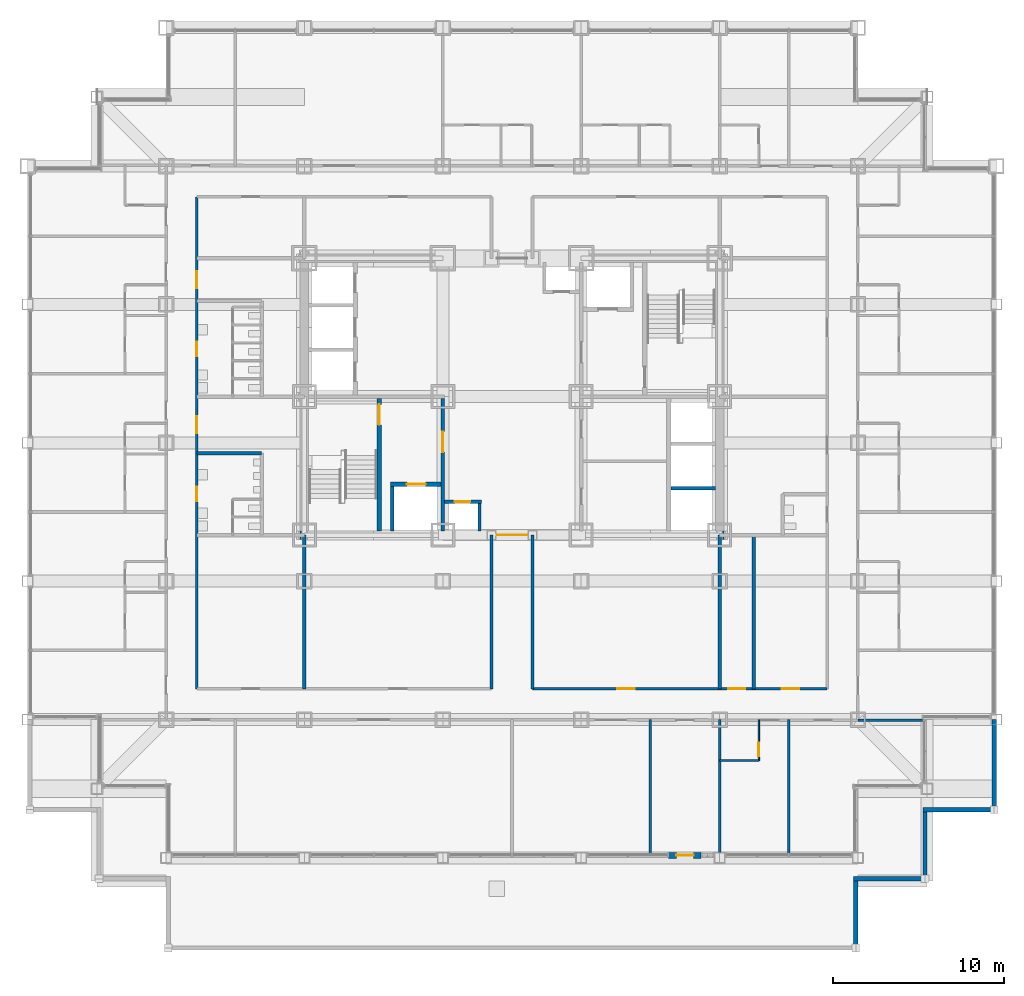
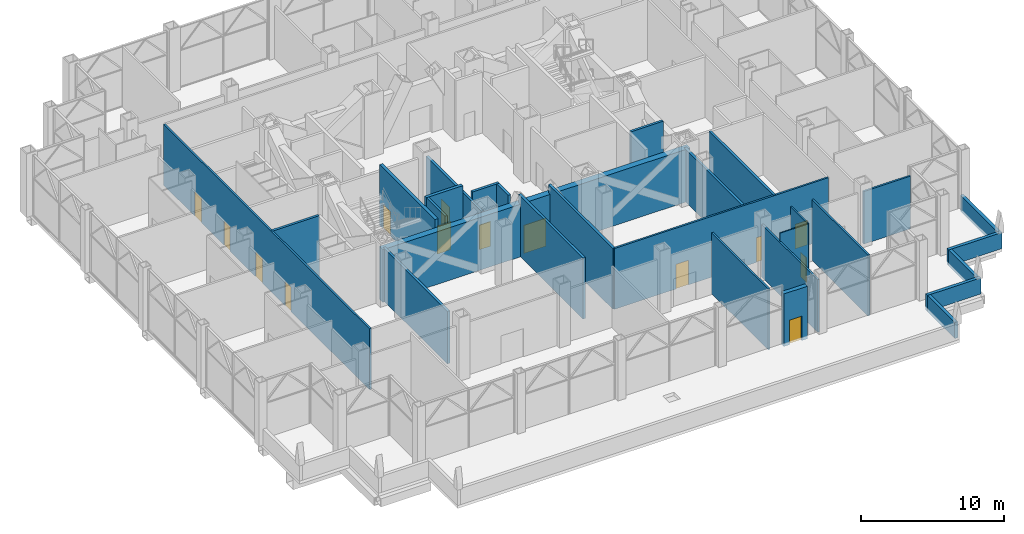
# One storey, part 20 of 26: 28 walls, 14 doors, 14 openings.
"""IFC4 building model written with IfcOpenShell, lengths in metres."""

from ifc_helpers import new_model, si_unit, direction, frame, frame_2d, origin, place, context, subcontext, project, spatial, rectangle, extrude, material, layer, layer_set, type_object, element, fill, save


model = new_model("IFC4")

# Units and contexts
model_context = context("Model", 3, precision=1e-05, world=origin(), true_north=direction((0.0, 1.0)))
body_context = subcontext(model_context, "Body", "Model", "MODEL_VIEW")
ifc_project = project(units=[si_unit("LENGTHUNIT", "METRE"), si_unit("AREAUNIT", "SQUARE_METRE"), si_unit("VOLUMEUNIT", "CUBIC_METRE"), si_unit("PLANEANGLEUNIT", "RADIAN"), si_unit("MASSUNIT", "GRAM", prefix="KILO")], contexts=[model_context])

# Site, building, storey
site_placement = place(None, origin())
site = spatial("IfcSite", under=ifc_project, at=site_placement, CompositionType="ELEMENT")
building_placement = place(site_placement, origin())
building = spatial("IfcBuilding", under=site, at=building_placement, Name="Kopane Lantern Tower", CompositionType="ELEMENT")
storey_placement = place(building_placement, frame((0.0, 0.0, 98.0)))
storey = spatial("IfcBuildingStorey", under=building, at=storey_placement, Name="L24", CompositionType="ELEMENT", Elevation=98.0)

# Wall
ifc_material_1 = material(Name="Moisture-resistant board on steel studs", Category="steel")
ifc_layer_1 = layer(ifc_material_1, 0.10009765625)
ifc_layer_set_1 = layer_set([ifc_layer_1], Name="BATHROOM WALL 100")
wall_type_1 = type_object("IfcWallType", Name="BATHROOM WALL 100", PredefinedType="PARTITIONING", material=ifc_layer_set_1)
wall_1_placement = place(storey_placement, frame((40.5, 11.10009765625, 0.0), z_axis=(0.0, 0.0, 1.0), x_axis=(1.0, 0.0, 0.0)))
element("IfcWall", 1, at=wall_1_placement, inside=storey, type_object=wall_type_1, Name="Bathroom Wall 100 L24", PredefinedType="PARTITIONING", context=body_context, shape_type="SweptSolid", body=[
    extrude(rectangle(XDim=2.300048828125, YDim=0.10009765625, at=frame_2d((1.14990234375, 0.0))), origin(), (0.0, 0.0, 1.0), 5.18994140625),
])

# Wall, opening, door
wall_2_placement = place(storey_placement, frame((42.800048828125, 13.5, 0.0), z_axis=(0.0, 0.0, 1.0), x_axis=(0.0, -1.0, 0.0)))
wall_2 = element("IfcWall", 2, at=wall_2_placement, inside=storey, type_object=wall_type_1, Name="Bathroom Wall 100 L24", PredefinedType="PARTITIONING", context=body_context, shape_type="SweptSolid", body=[
    extrude(rectangle(XDim=2.39990234375, YDim=0.10009765625, at=frame_2d((1.199951171875, 0.0))), origin(), (0.0, 0.0, 1.0), 5.18994140625),
])
opening_1_placement = place(wall_2_placement, frame((1.35009765625, 0.0, 0.0)))
opening_1 = element("IfcOpeningElement", 3, at=opening_1_placement, cuts=wall_2, Name="Opening L24-020", PredefinedType="OPENING", context=body_context, shape_type="SweptSolid", body=[
    extrude(rectangle(XDim=0.800048828125, YDim=2.10009765625, at=frame_2d((0.39990234375, 1.050048828125))), frame((0.0, 0.06005859375, 0.0), z_axis=(0.0, -1.0, 0.0), x_axis=(1.0, 0.0, 0.0)), (0.0, 0.0, 1.0), 0.1201171875),
])
ifc_material_2 = material(Name="Timber door set", Category="wood")
door_type_1 = type_object("IfcDoorType", Name="DOOR D2 800x2100", OperationType="SINGLE_SWING_LEFT", PredefinedType="DOOR", material=ifc_material_2)
door_1_placement = place(opening_1_placement, origin())
door_1 = element("IfcDoor", 4, at=door_1_placement, inside=storey, type_object=door_type_1, Name="Door L24-020", OperationType="SINGLE_SWING_LEFT", OverallHeight=2.10009765625, OverallWidth=0.800048828125, PredefinedType="DOOR", context=body_context, shape_type="SweptSolid", body=[
    extrude(rectangle(XDim=0.800048828125, YDim=2.10009765625, at=frame_2d((0.39990234375, 1.050048828125))), frame((0.0, 0.02490234375, 0.0), z_axis=(0.0, -1.0, 0.0), x_axis=(1.0, 0.0, 0.0)), (0.0, 0.0, 1.0), 0.050048828125),
])
fill(opening_1, door_1)

ifc_material_3 = material(Name="Gypsum shaft wall EI 120", Category="gypsum")
ifc_layer_2 = layer(ifc_material_3, 0.5)
ifc_layer_set_2 = layer_set([ifc_layer_2], Name="CORE PERIMETER WALL 500 EI 120")
wall_type_2 = type_object("IfcWallType", Name="CORE PERIMETER WALL 500 EI 120", PredefinedType="SOLIDWALL", material=ifc_layer_set_2)
wall_3_placement = place(storey_placement, frame((15.949951171875, 24.300048828125, 0.0), z_axis=(0.0, 0.0, 1.0), x_axis=(1.0, 0.0, 0.0)))
wall_3 = element("IfcWall", 5, at=wall_3_placement, inside=storey, type_object=wall_type_2, Name="Core shaft wall L24 PS", PredefinedType="SOLIDWALL", context=body_context, shape_type="SweptSolid", body=[
    extrude(rectangle(XDim=24.800048828125, YDim=0.5, at=frame_2d((12.39990234375, 0.0))), origin(), (0.0, 0.0, 1.0), 4.489990234375),
])
opening_2_placement = place(wall_3_placement, frame((11.5, 0.0, 0.0)))
opening_2 = element("IfcOpeningElement", 6, at=opening_2_placement, cuts=wall_3, Name="Opening 24.CE-S", PredefinedType="OPENING", context=body_context, shape_type="SweptSolid", body=[
    extrude(rectangle(XDim=1.800048828125, YDim=2.39990234375, at=frame_2d((0.89990234375, 1.199951171875))), frame((0.0, 0.260009765625, 0.0), z_axis=(0.0, -1.0, 0.0), x_axis=(1.0, 0.0, 0.0)), (0.0, 0.0, 1.0), 0.52001953125),
])
ifc_material_4 = material(Name="Steel door set", Category="steel")
door_type_2 = type_object("IfcDoorType", Name="CORE ENTRY DOOR 1800x2400 FD60S", OperationType="DOUBLE_DOOR_SINGLE_SWING", PredefinedType="DOOR", material=ifc_material_4)
door_2_placement = place(opening_2_placement, origin())
door_2 = element("IfcDoor", 7, at=door_2_placement, inside=storey, type_object=door_type_2, Name="Core entry door L24 south", OperationType="DOUBLE_DOOR_SINGLE_SWING", OverallHeight=2.39990234375, OverallWidth=1.800048828125, PredefinedType="DOOR", context=body_context, shape_type="SweptSolid", body=[
    extrude(rectangle(XDim=1.800048828125, YDim=2.39990234375, at=frame_2d((0.89990234375, 1.199951171875))), frame((0.0, 0.02490234375, 0.0), z_axis=(0.0, -1.0, 0.0), x_axis=(1.0, 0.0, 0.0)), (0.0, 0.0, 1.0), 0.050048828125),
])
fill(opening_2, door_2)

ifc_material_5 = material(Name="Gypsum shaft wall EI 120", Category="gypsum")
ifc_layer_3 = layer(ifc_material_5, 0.25)
ifc_layer_set_3 = layer_set([ifc_layer_3], Name="CORE SHAFT WALL 250 EI 120")
wall_type_3 = type_object("IfcWallType", Name="CORE SHAFT WALL 250 EI 120", PredefinedType="SOLIDWALL", material=ifc_layer_set_3)
wall_4_placement = place(storey_placement, frame((20.574951171875, 24.550048828125, 0.0), z_axis=(0.0, 0.0, 1.0), x_axis=(0.0, 1.0, 0.0)))
wall_4 = element("IfcWall", 8, at=wall_4_placement, inside=storey, type_object=wall_type_3, Name="Core shaft wall L24 XST1", PredefinedType="SOLIDWALL", context=body_context, shape_type="SweptSolid", body=[
    extrude(rectangle(XDim=7.75, YDim=0.25, at=frame_2d((3.875, 0.0))), origin(), (0.0, 0.0, 1.0), 5.18994140625),
])
opening_3_placement = place(wall_4_placement, frame((6.199951171875, 0.0, 0.0)))
opening_3 = element("IfcOpeningElement", 9, at=opening_3_placement, cuts=wall_4, Name="Opening 24.SD1", PredefinedType="OPENING", context=body_context, shape_type="SweptSolid", body=[
    extrude(rectangle(XDim=1.199951171875, YDim=2.10009765625, at=frame_2d((0.60009765625, 1.050048828125))), frame((0.0, 0.135009765625, 0.0), z_axis=(0.0, -1.0, 0.0), x_axis=(1.0, 0.0, 0.0)), (0.0, 0.0, 1.0), 0.27001953125),
])
ifc_material_6 = material(Name="Steel door set", Category="steel")
door_type_3 = type_object("IfcDoorType", Name="STAIR DOOR 1200x2100 FD60S", OperationType="SINGLE_SWING_LEFT", PredefinedType="DOOR", material=ifc_material_6)
door_3_placement = place(opening_3_placement, origin())
door_3 = element("IfcDoor", 10, at=door_3_placement, inside=storey, type_object=door_type_3, Name="Stair door ST1 L24", OperationType="SINGLE_SWING_LEFT", OverallHeight=2.10009765625, OverallWidth=1.199951171875, PredefinedType="DOOR", context=body_context, shape_type="SweptSolid", body=[
    extrude(rectangle(XDim=1.199951171875, YDim=2.10009765625, at=frame_2d((0.60009765625, 1.050048828125))), frame((0.0, 0.02490234375, 0.0), z_axis=(0.0, -1.0, 0.0), x_axis=(1.0, 0.0, 0.0)), (0.0, 0.0, 1.0), 0.050048828125),
])
fill(opening_3, door_3)

wall_5_placement = place(storey_placement, frame((21.25, 27.27490234375, 0.0), z_axis=(0.0, 0.0, 1.0), x_axis=(1.0, 0.0, 0.0)))
wall_5 = element("IfcWall", 11, at=wall_5_placement, inside=storey, type_object=wall_type_3, Name="Core shaft wall L24 YLF1", PredefinedType="SOLIDWALL", context=body_context, shape_type="SweptSolid", body=[
    extrude(rectangle(XDim=2.949951171875, YDim=0.25, at=frame_2d((1.47509765625, 0.0))), origin(), (0.0, 0.0, 1.0), 5.18994140625),
])
opening_4_placement = place(wall_5_placement, frame((0.949951171875, 0.0, 0.0)))
opening_4 = element("IfcOpeningElement", 12, at=opening_4_placement, cuts=wall_5, Name="Opening 24.LD-LF1", PredefinedType="OPENING", context=body_context, shape_type="SweptSolid", body=[
    extrude(rectangle(XDim=1.10009765625, YDim=2.39990234375, at=frame_2d((0.550048828125, 1.199951171875))), frame((0.0, 0.135009765625, 0.0), z_axis=(0.0, -1.0, 0.0), x_axis=(1.0, 0.0, 0.0)), (0.0, 0.0, 1.0), 0.27001953125),
])
ifc_material_7 = material(Name="Steel door set", Category="steel")
door_type_4 = type_object("IfcDoorType", Name="LIFT LANDING DOOR 1100x2400 FD60", OperationType="DOUBLE_DOOR_SLIDING", PredefinedType="DOOR", material=ifc_material_7)
door_4_placement = place(opening_4_placement, origin())
door_4 = element("IfcDoor", 13, at=door_4_placement, inside=storey, type_object=door_type_4, Name="Landing door LF1 L24", OperationType="DOUBLE_DOOR_SLIDING", OverallHeight=2.39990234375, OverallWidth=1.10009765625, PredefinedType="DOOR", context=body_context, shape_type="SweptSolid", body=[
    extrude(rectangle(XDim=1.10009765625, YDim=2.39990234375, at=frame_2d((0.550048828125, 1.199951171875))), frame((0.0, 0.02490234375, 0.0), z_axis=(0.0, -1.0, 0.0), x_axis=(1.0, 0.0, 0.0)), (0.0, 0.0, 1.0), 0.050048828125),
])
fill(opening_4, door_4)

# Wall, openings, doors
ifc_material_8 = material(Name="Gypsum board on steel studs", Category="steel")
ifc_layer_4 = layer(ifc_material_8, 0.14990234375)
ifc_layer_set_4 = layer_set([ifc_layer_4], Name="CORRIDOR WALL 150 EI 60")
wall_type_4 = type_object("IfcWallType", Name="CORRIDOR WALL 150 EI 60", PredefinedType="PARTITIONING", material=ifc_layer_set_4)
wall_6_placement = place(storey_placement, frame((9.89990234375, 44.10009765625, 0.0), z_axis=(0.0, 0.0, 1.0), x_axis=(0.0, -1.0, 0.0)))
wall_6 = element("IfcWall", 14, at=wall_6_placement, inside=storey, type_object=wall_type_4, Name="Corridor Wall 150 Ei 60 L24", PredefinedType="PARTITIONING", context=body_context, shape_type="SweptSolid", body=[
    extrude(rectangle(XDim=28.800048828125, YDim=0.14990234375, at=frame_2d((14.39990234375, 0.0))), origin(), (0.0, 0.0, 1.0), 5.18994140625),
])
opening_5_placement = place(wall_6_placement, frame((16.97509765625, 0.0, 0.0)))
opening_5 = element("IfcOpeningElement", 15, at=opening_5_placement, cuts=wall_6, Name="Opening L24-001", PredefinedType="OPENING", context=body_context, shape_type="SweptSolid", body=[
    extrude(rectangle(XDim=0.85009765625, YDim=2.10009765625, at=frame_2d((0.425048828125, 1.050048828125))), frame((0.0, 0.0849609375, 0.0), z_axis=(0.0, -1.0, 0.0), x_axis=(1.0, 0.0, 0.0)), (0.0, 0.0, 1.0), 0.169921875),
])
opening_6_placement = place(wall_6_placement, frame((12.85009765625, 0.0, 0.0)))
opening_6 = element("IfcOpeningElement", 16, at=opening_6_placement, cuts=wall_6, Name="Opening L24-002", PredefinedType="OPENING", context=body_context, shape_type="SweptSolid", body=[
    extrude(rectangle(XDim=1.0, YDim=2.10009765625, at=frame_2d((0.5, 1.050048828125))), frame((0.0, 0.0849609375, 0.0), z_axis=(0.0, -1.0, 0.0), x_axis=(1.0, 0.0, 0.0)), (0.0, 0.0, 1.0), 0.169921875),
])
opening_7_placement = place(wall_6_placement, frame((8.47509765625, 0.0, 0.0)))
opening_7 = element("IfcOpeningElement", 17, at=opening_7_placement, cuts=wall_6, Name="Opening L24-003", PredefinedType="OPENING", context=body_context, shape_type="SweptSolid", body=[
    extrude(rectangle(XDim=0.85009765625, YDim=2.10009765625, at=frame_2d((0.425048828125, 1.050048828125))), frame((0.0, 0.0849609375, 0.0), z_axis=(0.0, -1.0, 0.0), x_axis=(1.0, 0.0, 0.0)), (0.0, 0.0, 1.0), 0.169921875),
])
opening_8_placement = place(wall_6_placement, frame((4.35009765625, 0.0, 0.0)))
opening_8 = element("IfcOpeningElement", 18, at=opening_8_placement, cuts=wall_6, Name="Opening L24-004", PredefinedType="OPENING", context=body_context, shape_type="SweptSolid", body=[
    extrude(rectangle(XDim=1.0, YDim=2.10009765625, at=frame_2d((0.5, 1.050048828125))), frame((0.0, 0.0849609375, 0.0), z_axis=(0.0, -1.0, 0.0), x_axis=(1.0, 0.0, 0.0)), (0.0, 0.0, 1.0), 0.169921875),
])
ifc_material_9 = material(Name="Timber door set", Category="wood")
door_type_5 = type_object("IfcDoorType", Name="DOOR D4 850x2100", OperationType="SINGLE_SWING_LEFT", PredefinedType="DOOR", material=ifc_material_9)
door_5_placement = place(opening_5_placement, origin())
door_5 = element("IfcDoor", 19, at=door_5_placement, inside=storey, type_object=door_type_5, Name="Door L24-001", OperationType="SINGLE_SWING_RIGHT", OverallHeight=2.10009765625, OverallWidth=0.85009765625, PredefinedType="DOOR", context=body_context, shape_type="SweptSolid", body=[
    extrude(rectangle(XDim=0.85009765625, YDim=2.10009765625, at=frame_2d((0.425048828125, 1.050048828125))), frame((0.0, 0.02490234375, 0.0), z_axis=(0.0, -1.0, 0.0), x_axis=(1.0, 0.0, 0.0)), (0.0, 0.0, 1.0), 0.050048828125),
])
fill(opening_5, door_5)
door_6_placement = place(opening_7_placement, origin())
door_6 = element("IfcDoor", 20, at=door_6_placement, inside=storey, type_object=door_type_5, Name="Door L24-003", OperationType="SINGLE_SWING_RIGHT", OverallHeight=2.10009765625, OverallWidth=0.85009765625, PredefinedType="DOOR", context=body_context, shape_type="SweptSolid", body=[
    extrude(rectangle(XDim=0.85009765625, YDim=2.10009765625, at=frame_2d((0.425048828125, 1.050048828125))), frame((0.0, 0.02490234375, 0.0), z_axis=(0.0, -1.0, 0.0), x_axis=(1.0, 0.0, 0.0)), (0.0, 0.0, 1.0), 0.050048828125),
])
fill(opening_7, door_6)
ifc_material_10 = material(Name="Steel door set", Category="steel")
door_type_6 = type_object("IfcDoorType", Name="DOOR D5 1000x2100 FD60", OperationType="SINGLE_SWING_LEFT", PredefinedType="DOOR", material=ifc_material_10)
door_7_placement = place(opening_6_placement, origin())
door_7 = element("IfcDoor", 21, at=door_7_placement, inside=storey, type_object=door_type_6, Name="Door L24-002", OperationType="SINGLE_SWING_LEFT", OverallHeight=2.10009765625, OverallWidth=1.0, PredefinedType="DOOR", context=body_context, shape_type="SweptSolid", body=[
    extrude(rectangle(XDim=1.0, YDim=2.10009765625, at=frame_2d((0.5, 1.050048828125))), frame((0.0, 0.02490234375, 0.0), z_axis=(0.0, -1.0, 0.0), x_axis=(1.0, 0.0, 0.0)), (0.0, 0.0, 1.0), 0.050048828125),
])
fill(opening_6, door_7)
door_8_placement = place(opening_8_placement, origin())
door_8 = element("IfcDoor", 22, at=door_8_placement, inside=storey, type_object=door_type_6, Name="Door L24-004", OperationType="SINGLE_SWING_LEFT", OverallHeight=2.10009765625, OverallWidth=1.0, PredefinedType="DOOR", context=body_context, shape_type="SweptSolid", body=[
    extrude(rectangle(XDim=1.0, YDim=2.10009765625, at=frame_2d((0.5, 1.050048828125))), frame((0.0, 0.02490234375, 0.0), z_axis=(0.0, -1.0, 0.0), x_axis=(1.0, 0.0, 0.0)), (0.0, 0.0, 1.0), 0.050048828125),
])
fill(opening_8, door_8)

wall_7_placement = place(storey_placement, frame((29.56005859375, 15.300048828125, 0.0), z_axis=(0.0, 0.0, 1.0), x_axis=(1.0, 0.0, 0.0)))
wall_7 = element("IfcWall", 23, at=wall_7_placement, inside=storey, type_object=wall_type_4, Name="Corridor Wall 150 Ei 60 L24", PredefinedType="PARTITIONING", context=body_context, shape_type="SweptSolid", body=[
    extrude(rectangle(XDim=17.239990234375, YDim=0.14990234375, at=frame_2d((8.6201171875, 0.0))), origin(), (0.0, 0.0, 1.0), 5.18994140625),
])
opening_9_placement = place(wall_7_placement, frame((4.965087890625, 0.0, 0.0)))
opening_9 = element("IfcOpeningElement", 24, at=opening_9_placement, cuts=wall_7, Name="Opening L24-010", PredefinedType="OPENING", context=body_context, shape_type="SweptSolid", body=[
    extrude(rectangle(XDim=1.0, YDim=2.10009765625, at=frame_2d((0.5, 1.050048828125))), frame((0.0, 0.0849609375, 0.0), z_axis=(0.0, -1.0, 0.0), x_axis=(1.0, 0.0, 0.0)), (0.0, 0.0, 1.0), 0.169921875),
])
opening_10_placement = place(wall_7_placement, frame((11.43994140625, 0.0, 0.0)))
opening_10 = element("IfcOpeningElement", 25, at=opening_10_placement, cuts=wall_7, Name="Opening L24-011", PredefinedType="OPENING", context=body_context, shape_type="SweptSolid", body=[
    extrude(rectangle(XDim=1.0, YDim=2.10009765625, at=frame_2d((0.5, 1.050048828125))), frame((0.0, 0.0849609375, 0.0), z_axis=(0.0, -1.0, 0.0), x_axis=(1.0, 0.0, 0.0)), (0.0, 0.0, 1.0), 0.169921875),
])
opening_11_placement = place(wall_7_placement, frame((14.590087890625, 0.0, 0.0)))
opening_11 = element("IfcOpeningElement", 26, at=opening_11_placement, cuts=wall_7, Name="Opening L24-012", PredefinedType="OPENING", context=body_context, shape_type="SweptSolid", body=[
    extrude(rectangle(XDim=1.0, YDim=2.10009765625, at=frame_2d((0.5, 1.050048828125))), frame((0.0, 0.0849609375, 0.0), z_axis=(0.0, -1.0, 0.0), x_axis=(1.0, 0.0, 0.0)), (0.0, 0.0, 1.0), 0.169921875),
])
door_9_placement = place(opening_9_placement, origin())
door_9 = element("IfcDoor", 27, at=door_9_placement, inside=storey, type_object=door_type_6, Name="Door L24-010", OperationType="SINGLE_SWING_LEFT", OverallHeight=2.10009765625, OverallWidth=1.0, PredefinedType="DOOR", context=body_context, shape_type="SweptSolid", body=[
    extrude(rectangle(XDim=1.0, YDim=2.10009765625, at=frame_2d((0.5, 1.050048828125))), frame((0.0, 0.02490234375, 0.0), z_axis=(0.0, -1.0, 0.0), x_axis=(1.0, 0.0, 0.0)), (0.0, 0.0, 1.0), 0.050048828125),
])
fill(opening_9, door_9)
door_10_placement = place(opening_10_placement, origin())
door_10 = element("IfcDoor", 28, at=door_10_placement, inside=storey, type_object=door_type_6, Name="Door L24-011", OperationType="SINGLE_SWING_RIGHT", OverallHeight=2.10009765625, OverallWidth=1.0, PredefinedType="DOOR", context=body_context, shape_type="SweptSolid", body=[
    extrude(rectangle(XDim=1.0, YDim=2.10009765625, at=frame_2d((0.5, 1.050048828125))), frame((0.0, 0.02490234375, 0.0), z_axis=(0.0, -1.0, 0.0), x_axis=(1.0, 0.0, 0.0)), (0.0, 0.0, 1.0), 0.050048828125),
])
fill(opening_10, door_10)
door_11_placement = place(opening_11_placement, origin())
door_11 = element("IfcDoor", 29, at=door_11_placement, inside=storey, type_object=door_type_6, Name="Door L24-012", OperationType="SINGLE_SWING_LEFT", OverallHeight=2.10009765625, OverallWidth=1.0, PredefinedType="DOOR", context=body_context, shape_type="SweptSolid", body=[
    extrude(rectangle(XDim=1.0, YDim=2.10009765625, at=frame_2d((0.5, 1.050048828125))), frame((0.0, 0.02490234375, 0.0), z_axis=(0.0, -1.0, 0.0), x_axis=(1.0, 0.0, 0.0)), (0.0, 0.0, 1.0), 0.050048828125),
])
fill(opening_11, door_11)

# Walls
ifc_material_11 = material(Name="Gypsum board on steel studs", Category="steel")
ifc_layer_5 = layer(ifc_material_11, 0.14990234375)
ifc_layer_set_5 = layer_set([ifc_layer_5], Name="DEMISING WALL 150 EI 60")
wall_type_5 = type_object("IfcWallType", Name="DEMISING WALL 150 EI 60", PredefinedType="PARTITIONING", material=ifc_layer_set_5)
wall_8_placement = place(storey_placement, frame((36.449951171875, 13.5, 0.0), z_axis=(0.0, 0.0, 1.0), x_axis=(0.0, -1.0, 0.0)))
element("IfcWall", 30, at=wall_8_placement, inside=storey, type_object=wall_type_5, Name="Demising Wall 150 Ei 60 L24", PredefinedType="PARTITIONING", context=body_context, shape_type="SweptSolid", body=[
    extrude(rectangle(XDim=7.929931640625, YDim=0.14990234375, at=frame_2d((3.96484375, 0.0))), origin(), (0.0, 0.0, 1.0), 5.18994140625),
])
wall_9_placement = place(storey_placement, frame((40.5, 13.5, 0.0), z_axis=(0.0, 0.0, 1.0), x_axis=(0.0, -1.0, 0.0)))
element("IfcWall", 31, at=wall_9_placement, inside=storey, type_object=wall_type_5, Name="Demising Wall 150 Ei 60 L24", PredefinedType="PARTITIONING", context=body_context, shape_type="SweptSolid", body=[
    extrude(rectangle(XDim=7.800048828125, YDim=0.14990234375, at=frame_2d((3.89990234375, 0.0))), origin(), (0.0, 0.0, 1.0), 4.489990234375),
])
wall_10_placement = place(storey_placement, frame((48.60009765625, 13.465087890625, 0.0), z_axis=(0.0, 0.0, 1.0), x_axis=(1.0, 0.0, 0.0)))
element("IfcWall", 32, at=wall_10_placement, inside=storey, type_object=wall_type_5, Name="Demising Wall 150 Ei 60 L24", PredefinedType="PARTITIONING", context=body_context, shape_type="SweptSolid", body=[
    extrude(rectangle(XDim=3.784423828125, YDim=0.14990234375, at=frame_2d((1.89208984375, 0.0))), origin(), (0.0, 0.0, 1.0), 4.489990234375),
])
wall_11_placement = place(storey_placement, frame((44.550048828125, 13.5, 0.0), z_axis=(0.0, 0.0, 1.0), x_axis=(0.0, -1.0, 0.0)))
element("IfcWall", 33, at=wall_11_placement, inside=storey, type_object=wall_type_5, Name="Demising Wall 150 Ei 60 L24", PredefinedType="PARTITIONING", context=body_context, shape_type="SweptSolid", body=[
    extrude(rectangle(XDim=7.83447265625, YDim=0.14990234375, at=frame_2d((3.917236328125, 0.0))), origin(), (0.0, 0.0, 1.0), 5.18994140625),
])

# Wall, opening, door
ifc_material_12 = material(Name="Terracotta rainscreen on light steel framing", Category="masonry")
ifc_layer_6 = layer(ifc_material_12, 0.35009765625)
ifc_layer_set_6 = layer_set([ifc_layer_6], Name="ENTRANCE PIER WALL EW2 300 TERRACOTTA")
wall_type_6 = type_object("IfcWallType", Name="ENTRANCE PIER WALL EW2 300 TERRACOTTA", PredefinedType="SOLIDWALL", material=ifc_layer_set_6)
wall_12_placement = place(storey_placement, frame((37.52490234375, 5.550048828125, 0.0), z_axis=(0.0, 0.0, 1.0), x_axis=(1.0, 0.0, 0.0)))
wall_12 = element("IfcWall", 34, at=wall_12_placement, inside=storey, type_object=wall_type_6, Name="Entrance wall S L24", PredefinedType="SOLIDWALL", context=body_context, shape_type="SweptSolid", body=[
    extrude(rectangle(XDim=1.900146484375, YDim=0.35009765625, at=frame_2d((0.9501953125, 0.0))), origin(), (0.0, 0.0, 1.0), 4.489990234375),
])
opening_12_placement = place(wall_12_placement, frame((0.449951171875, 0.0, 0.0)))
opening_12 = element("IfcOpeningElement", 35, at=opening_12_placement, cuts=wall_12, Name="Opening L24-E01", PredefinedType="OPENING", context=body_context, shape_type="SweptSolid", body=[
    extrude(rectangle(XDim=1.0, YDim=2.10009765625, at=frame_2d((0.5, 1.050048828125))), frame((0.0, 0.18505859375, 0.0), z_axis=(0.0, -1.0, 0.0), x_axis=(1.0, 0.0, 0.0)), (0.0, 0.0, 1.0), 0.3701171875),
])
ifc_material_13 = material(Name="Insulated steel door set", Category="steel")
door_type_7 = type_object("IfcDoorType", Name="ROOF ACCESS DOOR ED1021 1000x2100", OperationType="SINGLE_SWING_LEFT", PredefinedType="DOOR", material=ifc_material_13)
door_12_placement = place(opening_12_placement, origin())
door_12 = element("IfcDoor", 36, at=door_12_placement, inside=storey, type_object=door_type_7, Name="Roof access door L24-E01", OperationType="SINGLE_SWING_RIGHT", OverallHeight=2.10009765625, OverallWidth=1.0, PredefinedType="DOOR", context=body_context, shape_type="SweptSolid", body=[
    extrude(rectangle(XDim=1.0, YDim=2.10009765625, at=frame_2d((0.5, 1.050048828125))), frame((0.0, 0.02490234375, 0.0), z_axis=(0.0, -1.0, 0.0), x_axis=(1.0, 0.0, 0.0)), (0.0, 0.0, 1.0), 0.050048828125),
])
fill(opening_12, door_12)

# Walls
ifc_material_14 = material(Name="Terracotta rainscreen on light steel framing", Category="masonry")
ifc_layer_7 = layer(ifc_material_14, 0.25)
ifc_layer_set_7 = layer_set([ifc_layer_7], Name="PARAPET PW1 250 TERRACOTTA")
wall_type_7 = type_object("IfcWallType", Name="PARAPET PW1 250 TERRACOTTA", PredefinedType="PARAPET", material=ifc_layer_set_7)
wall_13_placement = place(storey_placement, frame((48.47509765625, 0.25, 0.0), z_axis=(0.0, 0.0, 1.0), x_axis=(0.0, 1.0, 0.0)))
element("IfcWall", 37, at=wall_13_placement, inside=storey, type_object=wall_type_7, Name="Parapet L24", PredefinedType="PARAPET", context=body_context, shape_type="SweptSolid", body=[
    extrude(rectangle(XDim=3.800048828125, YDim=0.25, at=frame_2d((1.89990234375, 0.0))), origin(), (0.0, 0.0, 1.0), 1.3798828125),
])
wall_14_placement = place(storey_placement, frame((48.35009765625, 4.175048828125, 0.0), z_axis=(0.0, 0.0, 1.0), x_axis=(1.0, 0.0, 0.0)))
element("IfcWall", 38, at=wall_14_placement, inside=storey, type_object=wall_type_7, Name="Parapet L24", PredefinedType="PARAPET", context=body_context, shape_type="SweptSolid", body=[
    extrude(rectangle(XDim=4.2998046875, YDim=0.25, at=frame_2d((2.14990234375, 0.0))), origin(), (0.0, 0.0, 1.0), 1.3798828125),
])
wall_15_placement = place(storey_placement, frame((52.52490234375, 4.300048828125, 0.0), z_axis=(0.0, 0.0, 1.0), x_axis=(0.0, 1.0, 0.0)))
element("IfcWall", 39, at=wall_15_placement, inside=storey, type_object=wall_type_7, Name="Parapet L24", PredefinedType="PARAPET", context=body_context, shape_type="SweptSolid", body=[
    extrude(rectangle(XDim=3.800048828125, YDim=0.25, at=frame_2d((1.89990234375, 0.0))), origin(), (0.0, 0.0, 1.0), 1.3798828125),
])
wall_16_placement = place(storey_placement, frame((52.39990234375, 8.22509765625, 0.0), z_axis=(0.0, 0.0, 1.0), x_axis=(1.0, 0.0, 0.0)))
element("IfcWall", 40, at=wall_16_placement, inside=storey, type_object=wall_type_7, Name="Parapet L24", PredefinedType="PARAPET", context=body_context, shape_type="SweptSolid", body=[
    extrude(rectangle(XDim=4.300048828125, YDim=0.25, at=frame_2d((2.14990234375, 0.0))), origin(), (0.0, 0.0, 1.0), 1.3798828125),
])
wall_17_placement = place(storey_placement, frame((56.574951171875, 8.35009765625, 0.0), z_axis=(0.0, 0.0, 1.0), x_axis=(0.0, 1.0, 0.0)))
element("IfcWall", 41, at=wall_17_placement, inside=storey, type_object=wall_type_7, Name="Parapet L24", PredefinedType="PARAPET", context=body_context, shape_type="SweptSolid", body=[
    extrude(rectangle(XDim=5.14990234375, YDim=0.25, at=frame_2d((2.574951171875, 0.0))), origin(), (0.0, 0.0, 1.0), 1.3798828125),
])
ifc_material_15 = material(Name="Concrete masonry", Category="masonry")
ifc_layer_8 = layer(ifc_material_15, 0.199951171875)
ifc_layer_set_8 = layer_set([ifc_layer_8], Name="PLANT ROOM WALL 200 EI 120")
wall_type_8 = type_object("IfcWallType", Name="PLANT ROOM WALL 200 EI 120", PredefinedType="SOLIDWALL", material=ifc_layer_set_8)
wall_18_placement = place(storey_placement, frame((9.89990234375, 29.10009765625, 0.0), z_axis=(0.0, 0.0, 1.0), x_axis=(1.0, 0.0, 0.0)))
element("IfcWall", 42, at=wall_18_placement, inside=storey, type_object=wall_type_8, Name="Plant Room Wall 200 Ei 120 L24", PredefinedType="SOLIDWALL", context=body_context, shape_type="SweptSolid", body=[
    extrude(rectangle(XDim=3.800048828125, YDim=0.199951171875, at=frame_2d((1.89990234375, 0.0))), origin(), (0.0, 0.0, 1.0), 5.18994140625),
])
for number, where, z_axis, x_axis, name in (
    (43, (16.199951171875, 15.300048828125, 0.0), (0.0, 0.0, 1.0), (0.0, 1.0, 0.0), "Plant Room Wall 200 Ei 120 L24"),
    (44, (40.5, 15.300048828125, 0.0), (0.0, 0.0, 1.0), (0.0, 1.0, 0.0), "Plant Room Wall 200 Ei 120 L24"),
):
    element("IfcWall", number, at=place(storey_placement, frame(where, z_axis=z_axis, x_axis=x_axis)), inside=storey, type_object=wall_type_8, Name=name, PredefinedType="SOLIDWALL", context=body_context, shape_type="SweptSolid", body=[
        extrude(rectangle(XDim=9.0, YDim=0.199951171875, at=frame_2d((4.5, 0.0))), origin(), (0.0, 0.0, 1.0), 4.489990234375),
    ])
for number, where, z_axis, x_axis, name in (
    (45, (42.5, 15.300048828125, 0.0), (0.0, 0.0, 1.0), (0.0, 1.0, 0.0), "Plant Room Wall 200 Ei 120 L24"),
    (46, (27.14990234375, 15.300048828125, 0.0), (0.0, 0.0, 1.0), (0.0, 1.0, 0.0), "Plant Room Wall 200 Ei 120 L24"),
    (47, (29.550048828125, 15.300048828125, 0.0), (0.0, 0.0, 1.0), (0.0, 1.0, 0.0), "Plant Room Wall 200 Ei 120 L24"),
):
    element("IfcWall", number, at=place(storey_placement, frame(where, z_axis=z_axis, x_axis=x_axis)), inside=storey, type_object=wall_type_8, Name=name, PredefinedType="SOLIDWALL", context=body_context, shape_type="SweptSolid", body=[
        extrude(rectangle(XDim=9.0, YDim=0.199951171875, at=frame_2d((4.5, 0.0))), origin(), (0.0, 0.0, 1.0), 5.18994140625),
    ])

# Wall, opening, door
ifc_material_16 = material(Name="Gypsum shaft wall EI 120", Category="gypsum")
ifc_layer_9 = layer(ifc_material_16, 0.199951171875)
ifc_layer_set_9 = layer_set([ifc_layer_9], Name="SHAFT WALL 200 EI 120")
wall_type_9 = type_object("IfcWallType", Name="SHAFT WALL 200 EI 120", PredefinedType="SOLIDWALL", material=ifc_layer_set_9)
wall_19_placement = place(storey_placement, frame((24.300048828125, 24.550048828125, 0.0), z_axis=(0.0, 0.0, 1.0), x_axis=(0.0, 1.0, 0.0)))
wall_19 = element("IfcWall", 48, at=wall_19_placement, inside=storey, type_object=wall_type_9, Name="Core shaft wall L24 X243", PredefinedType="SOLIDWALL", context=body_context, shape_type="SweptSolid", body=[
    extrude(rectangle(XDim=7.75, YDim=0.199951171875, at=frame_2d((3.875, 0.0))), origin(), (0.0, 0.0, 1.0), 4.577880859375),
])
opening_13_placement = place(wall_19_placement, frame((4.60009765625, 0.0, 0.0)))
opening_13 = element("IfcOpeningElement", 49, at=opening_13_placement, cuts=wall_19, Name="Opening 24.FL1", PredefinedType="OPENING", context=body_context, shape_type="SweptSolid", body=[
    extrude(rectangle(XDim=1.199951171875, YDim=2.10009765625, at=frame_2d((0.60009765625, 1.050048828125))), frame((0.0, 0.10986328125, 0.0), z_axis=(0.0, -1.0, 0.0), x_axis=(1.0, 0.0, 0.0)), (0.0, 0.0, 1.0), 0.219970703125),
])
ifc_material_17 = material(Name="Steel door set", Category="steel")
door_type_8 = type_object("IfcDoorType", Name="FIREFIGHTING LOBBY DOOR 1200x2100 FD60S", OperationType="SINGLE_SWING_RIGHT", PredefinedType="DOOR", material=ifc_material_17)
door_13_placement = place(opening_13_placement, origin())
door_13 = element("IfcDoor", 50, at=door_13_placement, inside=storey, type_object=door_type_8, Name="Firefighting lobby door FL1 L24", OperationType="SINGLE_SWING_LEFT", OverallHeight=2.10009765625, OverallWidth=1.199951171875, PredefinedType="DOOR", context=body_context, shape_type="SweptSolid", body=[
    extrude(rectangle(XDim=1.199951171875, YDim=2.10009765625, at=frame_2d((0.60009765625, 1.050048828125))), frame((0.0, 0.02490234375, 0.0), z_axis=(0.0, -1.0, 0.0), x_axis=(1.0, 0.0, 0.0)), (0.0, 0.0, 1.0), 0.050048828125),
])
fill(opening_13, door_13)

# Walls
wall_20_placement = place(storey_placement, frame((21.35009765625, 24.550048828125, 0.0), z_axis=(0.0, 0.0, 1.0), x_axis=(0.0, 1.0, 0.0)))
element("IfcWall", 51, at=wall_20_placement, inside=storey, type_object=wall_type_9, Name="Core shaft wall L24 XLF1", PredefinedType="SOLIDWALL", context=body_context, shape_type="SweptSolid", body=[
    extrude(rectangle(XDim=2.599853515625, YDim=0.199951171875, at=frame_2d((1.2998046875, 0.0))), origin(), (0.0, 0.0, 1.0), 5.18994140625),
])
wall_21_placement = place(storey_placement, frame((26.449951171875, 24.550048828125, 0.0), z_axis=(0.0, 0.0, 1.0), x_axis=(0.0, 1.0, 0.0)))
element("IfcWall", 52, at=wall_21_placement, inside=storey, type_object=wall_type_9, Name="Core shaft wall L24 XRS1", PredefinedType="SOLIDWALL", context=body_context, shape_type="SweptSolid", body=[
    extrude(rectangle(XDim=1.599853515625, YDim=0.199951171875, at=frame_2d((0.7998046875, 0.0))), origin(), (0.0, 0.0, 1.0), 5.18994140625),
])

# Wall, opening, door
wall_22_placement = place(storey_placement, frame((24.39990234375, 26.25, 0.0), z_axis=(0.0, 0.0, 1.0), x_axis=(1.0, 0.0, 0.0)))
wall_22 = element("IfcWall", 53, at=wall_22_placement, inside=storey, type_object=wall_type_9, Name="Core shaft wall L24 YRS1", PredefinedType="SOLIDWALL", context=body_context, shape_type="SweptSolid", body=[
    extrude(rectangle(XDim=2.150146484375, YDim=0.199951171875, at=frame_2d((1.0751953125, 0.0))), origin(), (0.0, 0.0, 1.0), 5.18994140625),
])
opening_14_placement = place(wall_22_placement, frame((0.60009765625, 0.0, 0.0)))
opening_14 = element("IfcOpeningElement", 54, at=opening_14_placement, cuts=wall_22, Name="Opening 24.RS1", PredefinedType="OPENING", context=body_context, shape_type="SweptSolid", body=[
    extrude(rectangle(XDim=0.89990234375, YDim=2.10009765625, at=frame_2d((0.449951171875, 1.050048828125))), frame((0.0, 0.10986328125, 0.0), z_axis=(0.0, -1.0, 0.0), x_axis=(1.0, 0.0, 0.0)), (0.0, 0.0, 1.0), 0.219970703125),
])
ifc_material_18 = material(Name="Steel door set", Category="steel")
door_type_9 = type_object("IfcDoorType", Name="RISER ACCESS DOOR 900x2100 FD60", OperationType="SINGLE_SWING_LEFT", PredefinedType="DOOR", material=ifc_material_18)
door_14_placement = place(opening_14_placement, origin())
door_14 = element("IfcDoor", 55, at=door_14_placement, inside=storey, type_object=door_type_9, Name="Riser access door RS1 L24", OperationType="SINGLE_SWING_LEFT", OverallHeight=2.10009765625, OverallWidth=0.89990234375, PredefinedType="DOOR", context=body_context, shape_type="SweptSolid", body=[
    extrude(rectangle(XDim=0.89990234375, YDim=2.10009765625, at=frame_2d((0.449951171875, 1.050048828125))), frame((0.0, 0.02490234375, 0.0), z_axis=(0.0, -1.0, 0.0), x_axis=(1.0, 0.0, 0.0)), (0.0, 0.0, 1.0), 0.050048828125),
])
fill(opening_14, door_14)

# Wall
wall_23_placement = place(storey_placement, frame((37.64990234375, 27.050048828125, 0.0), z_axis=(0.0, 0.0, 1.0), x_axis=(1.0, 0.0, 0.0)))
element("IfcWall", 56, at=wall_23_placement, inside=storey, type_object=wall_type_9, Name="Core shaft wall L24 YLR12", PredefinedType="SOLIDWALL", context=body_context, shape_type="SweptSolid", body=[
    extrude(rectangle(XDim=2.60009765625, YDim=0.199951171875, at=frame_2d((1.300048828125, 0.0))), origin(), (0.0, 0.0, 1.0), 5.18994140625),
])

save(model, "model.ifc")
